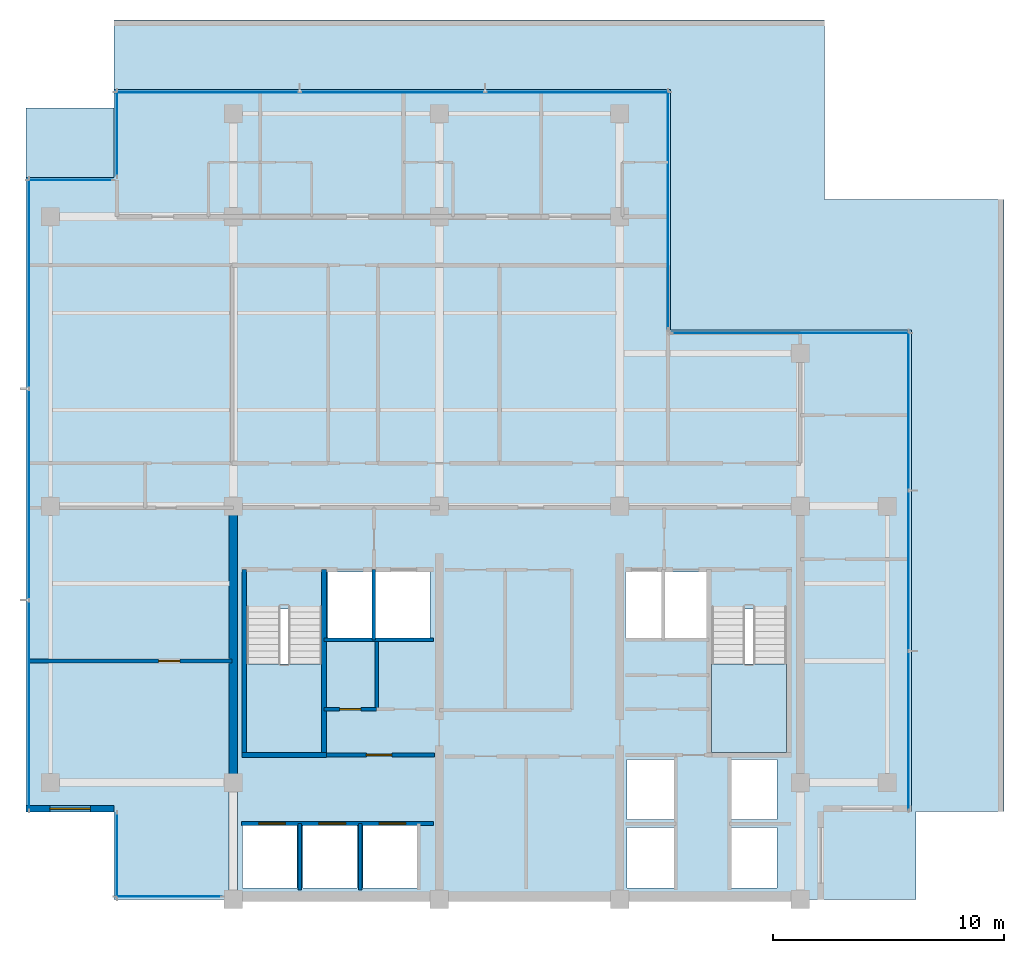
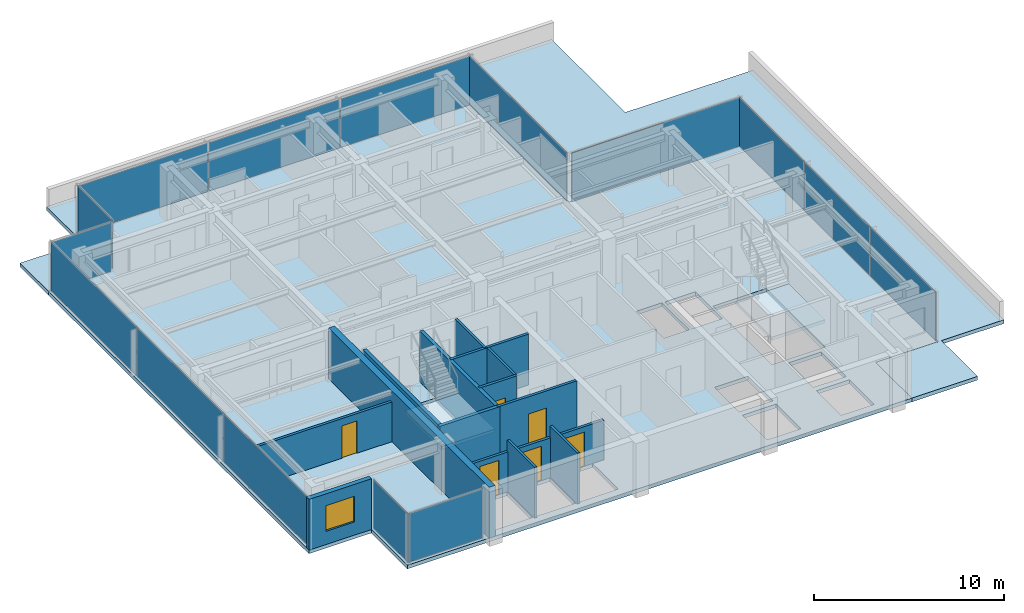
# One storey, part 5 of 11: 15 plates, 14 walls, 6 doors, 5 slabs, 1 window, 7 openings, 11 elements without a shape of their own.
"""IFC4 building model written with IfcOpenShell, lengths in metres."""

from ifc_helpers import new_model, si_unit, direction, frame, frame_2d, origin, origin_2d, place, context, subcontext, project, spatial, polyline, rectangle, outline, extrude, material, layer, layer_set, type_object, element, fill, aggregate, save


model = new_model("IFC4")

# Units and contexts
model_context = context("Model", 3, precision=1e-05, world=origin(), true_north=direction((0.0, 1.0)))
body_context = subcontext(model_context, "Body", "Model", "MODEL_VIEW")
ifc_project = project(units=[si_unit("LENGTHUNIT", "METRE"), si_unit("AREAUNIT", "SQUARE_METRE"), si_unit("VOLUMEUNIT", "CUBIC_METRE"), si_unit("PLANEANGLEUNIT", "RADIAN"), si_unit("MASSUNIT", "GRAM", prefix="KILO")], contexts=[model_context])

# Site, building, storey
site_placement = place(None, origin())
site = spatial("IfcSite", under=ifc_project, at=site_placement, CompositionType="ELEMENT")
building_placement = place(site_placement, origin())
building = spatial("IfcBuilding", under=site, at=building_placement, Name="Qalmaran Belvedere Hotel", CompositionType="ELEMENT")
storey_placement = place(building_placement, frame((0.0, 0.0, 238.89990234375)))
storey = spatial("IfcBuildingStorey", under=building, at=storey_placement, Name="L61", CompositionType="ELEMENT", Elevation=238.89990234375)

# Curtain wall, plate
ifc_material_1 = material(Name="Anodised Bronze Aluminium", Category="aluminium")
ifc_layer_1 = layer(ifc_material_1, 0.18505859375, Name="Anodised Bronze Aluminium")
ifc_layer_set_1 = layer_set([ifc_layer_1], Name="Anodised Bronze Aluminium")
curtain_wall_type = type_object("IfcCurtainWallType", Name="CW6-TOWER-SKY", PredefinedType="NOTDEFINED", material=ifc_layer_set_1)
curtain_wall_1_placement = place(storey_placement, origin())
curtain_wall_1 = element("IfcCurtainWall", 1, at=curtain_wall_1_placement, inside=storey, type_object=curtain_wall_type, Name="L61 Curtain Wall CW6", PredefinedType="NOTDEFINED")
ifc_material_2 = material(Name="Solar-Control Double Glazing", Category="glass")
ifc_layer_2 = layer(ifc_material_2, 0.028076171875, Name="Solar-Control Double Glazing")
ifc_layer_set_2 = layer_set([ifc_layer_2], Name="Solar-Control Double Glazing")
plate_type = type_object("IfcPlateType", Name="CWP-VISION-28", PredefinedType="CURTAIN_PANEL", material=ifc_layer_set_2)
plate_1_placement = place(storey_placement, frame((17.5048828125, 3.6201171875, 0.065185546875), z_axis=(0.0, 0.0, 1.0), x_axis=(1.0, 0.0, 0.0)))
plate_1 = element("IfcPlate", 2, at=plate_1_placement, type_object=plate_type, Name="CW6 panel 1.1", PredefinedType="CURTAIN_PANEL", context=body_context, shape_type="SweptSolid", body=[
    extrude(rectangle(XDim=4.580078125, YDim=0.028076171875, at=origin_2d()), origin(), (0.0, 0.0, 1.0), 3.1298828125),
])
aggregate(curtain_wall_1, [plate_1])

# Curtain wall, plates
curtain_wall_2_placement = place(storey_placement, origin())
curtain_wall_2 = element("IfcCurtainWall", 3, at=curtain_wall_2_placement, inside=storey, type_object=curtain_wall_type, Name="L61 Curtain Wall CW6", PredefinedType="NOTDEFINED")
plate_2_placement = place(storey_placement, frame((49.47998046875, 10.782958984375, 0.065185546875), z_axis=(0.0, 0.0, 1.0), x_axis=(0.0, 1.0, 0.0)))
plate_2 = element("IfcPlate", 4, at=plate_2_placement, type_object=plate_type, Name="CW6 panel 1.1", PredefinedType="CURTAIN_PANEL", context=body_context, shape_type="SweptSolid", body=[
    extrude(rectangle(XDim=6.8359375, YDim=0.028076171875, at=origin_2d()), origin(), (0.0, 0.0, 1.0), 3.1298828125),
])
plate_3_placement = place(storey_placement, frame((49.47998046875, 17.699951171875, 0.065185546875), z_axis=(0.0, 0.0, 1.0), x_axis=(0.0, 1.0, 0.0)))
plate_3 = element("IfcPlate", 5, at=plate_3_placement, type_object=plate_type, Name="CW6 panel 2.1", PredefinedType="CURTAIN_PANEL", context=body_context, shape_type="SweptSolid", body=[
    extrude(rectangle(XDim=6.868408203125, YDim=0.028076171875, at=origin_2d()), origin(), (0.0, 0.0, 1.0), 3.1298828125),
])
plate_4_placement = place(storey_placement, frame((49.47998046875, 24.6171875, 0.065185546875), z_axis=(0.0, 0.0, 1.0), x_axis=(0.0, 1.0, 0.0)))
plate_4 = element("IfcPlate", 6, at=plate_4_placement, type_object=plate_type, Name="CW6 panel 3.1", PredefinedType="CURTAIN_PANEL", context=body_context, shape_type="SweptSolid", body=[
    extrude(rectangle(XDim=6.8359375, YDim=0.028076171875, at=origin_2d()), origin(), (0.0, 0.0, 1.0), 3.1298828125),
])
aggregate(curtain_wall_2, [plate_2, plate_3, plate_4])

# Curtain wall, plate
curtain_wall_3_placement = place(storey_placement, origin())
curtain_wall_3 = element("IfcCurtainWall", 7, at=curtain_wall_3_placement, inside=storey, type_object=curtain_wall_type, Name="L61 Curtain Wall CW6", PredefinedType="NOTDEFINED")
plate_5_placement = place(storey_placement, frame((44.39990234375, 27.97998046875, 0.065185546875), z_axis=(0.0, 0.0, 1.0), x_axis=(-1.0, 0.0, 0.0)))
plate_5 = element("IfcPlate", 8, at=plate_5_placement, type_object=plate_type, Name="CW6 panel 1.1", PredefinedType="CURTAIN_PANEL", context=body_context, shape_type="SweptSolid", body=[
    extrude(rectangle(XDim=10.27001953125, YDim=0.028076171875, at=origin_2d()), origin(), (0.0, 0.0, 1.0), 3.1298828125),
])
aggregate(curtain_wall_3, [plate_5])

curtain_wall_4_placement = place(storey_placement, origin())
curtain_wall_4 = element("IfcCurtainWall", 9, at=curtain_wall_4_placement, inside=storey, type_object=curtain_wall_type, Name="L61 Curtain Wall CW6", PredefinedType="NOTDEFINED")
plate_6_placement = place(storey_placement, frame((39.080078125, 33.300048828125, 0.065185546875), z_axis=(0.0, 0.0, 1.0), x_axis=(0.0, 1.0, 0.0)))
plate_6 = element("IfcPlate", 10, at=plate_6_placement, type_object=plate_type, Name="CW6 panel 1.1", PredefinedType="CURTAIN_PANEL", context=body_context, shape_type="SweptSolid", body=[
    extrude(rectangle(XDim=10.27001953125, YDim=0.028076171875, at=origin_2d()), origin(), (0.0, 0.0, 1.0), 3.1298828125),
])
aggregate(curtain_wall_4, [plate_6])

# Curtain wall, plates
curtain_wall_5_placement = place(storey_placement, origin())
curtain_wall_5 = element("IfcCurtainWall", 11, at=curtain_wall_5_placement, inside=storey, type_object=curtain_wall_type, Name="L61 Curtain Wall CW6", PredefinedType="NOTDEFINED")
plate_7_placement = place(storey_placement, frame((35.175537109375, 38.3798828125, 0.065185546875), z_axis=(0.0, 0.0, 1.0), x_axis=(-1.0, 0.0, 0.0)))
plate_7 = element("IfcPlate", 12, at=plate_7_placement, type_object=plate_type, Name="CW6 panel 1.1", PredefinedType="CURTAIN_PANEL", context=body_context, shape_type="SweptSolid", body=[
    extrude(rectangle(XDim=7.919189453125, YDim=0.028076171875, at=origin_2d()), origin(), (0.0, 0.0, 1.0), 3.1298828125),
])
plate_8_placement = place(storey_placement, frame((27.175048828125, 38.3798828125, 0.065185546875), z_axis=(0.0, 0.0, 1.0), x_axis=(-1.0, 0.0, 0.0)))
plate_8 = element("IfcPlate", 13, at=plate_8_placement, type_object=plate_type, Name="CW6 panel 2.1", PredefinedType="CURTAIN_PANEL", context=body_context, shape_type="SweptSolid", body=[
    extrude(rectangle(XDim=7.95166015625, YDim=0.028076171875, at=origin_2d()), origin(), (0.0, 0.0, 1.0), 3.1298828125),
])
plate_9_placement = place(storey_placement, frame((19.174560546875, 38.3798828125, 0.065185546875), z_axis=(0.0, 0.0, 1.0), x_axis=(-1.0, 0.0, 0.0)))
plate_9 = element("IfcPlate", 14, at=plate_9_placement, type_object=plate_type, Name="CW6 panel 3.1", PredefinedType="CURTAIN_PANEL", context=body_context, shape_type="SweptSolid", body=[
    extrude(rectangle(XDim=7.919189453125, YDim=0.028076171875, at=origin_2d()), origin(), (0.0, 0.0, 1.0), 3.1298828125),
])
aggregate(curtain_wall_5, [plate_7, plate_8, plate_9])

# Curtain wall, plate
curtain_wall_6_placement = place(storey_placement, origin())
curtain_wall_6 = element("IfcCurtainWall", 15, at=curtain_wall_6_placement, inside=storey, type_object=curtain_wall_type, Name="L61 Curtain Wall CW6", PredefinedType="NOTDEFINED")
plate_10_placement = place(storey_placement, frame((15.27001953125, 36.60009765625, 0.065185546875), z_axis=(0.0, 0.0, 1.0), x_axis=(0.0, -1.0, 0.0)))
plate_10 = element("IfcPlate", 16, at=plate_10_placement, type_object=plate_type, Name="CW6 panel 1.1", PredefinedType="CURTAIN_PANEL", context=body_context, shape_type="SweptSolid", body=[
    extrude(rectangle(XDim=3.669921875, YDim=0.028076171875, at=origin_2d()), origin(), (0.0, 0.0, 1.0), 3.1298828125),
])
aggregate(curtain_wall_6, [plate_10])

curtain_wall_7_placement = place(storey_placement, origin())
curtain_wall_7 = element("IfcCurtainWall", 17, at=curtain_wall_7_placement, inside=storey, type_object=curtain_wall_type, Name="L61 Curtain Wall CW6", PredefinedType="NOTDEFINED")
plate_11_placement = place(storey_placement, frame((13.25, 34.580078125, 0.065185546875), z_axis=(0.0, 0.0, 1.0), x_axis=(-1.0, 0.0, 0.0)))
plate_11 = element("IfcPlate", 18, at=plate_11_placement, type_object=plate_type, Name="CW6 panel 1.1", PredefinedType="CURTAIN_PANEL", context=body_context, shape_type="SweptSolid", body=[
    extrude(rectangle(XDim=3.669921875, YDim=0.028076171875, at=origin_2d()), origin(), (0.0, 0.0, 1.0), 3.1298828125),
])
aggregate(curtain_wall_7, [plate_11])

# Curtain wall, plates
curtain_wall_8_placement = place(storey_placement, origin())
curtain_wall_8 = element("IfcCurtainWall", 19, at=curtain_wall_8_placement, inside=storey, type_object=curtain_wall_type, Name="L61 Curtain Wall CW6", PredefinedType="NOTDEFINED")
plate_12_placement = place(storey_placement, frame((11.469970703125, 30.1171875, 0.065185546875), z_axis=(0.0, 0.0, 1.0), x_axis=(0.0, -1.0, 0.0)))
plate_12 = element("IfcPlate", 20, at=plate_12_placement, type_object=plate_type, Name="CW6 panel 1.1", PredefinedType="CURTAIN_PANEL", context=body_context, shape_type="SweptSolid", body=[
    extrude(rectangle(XDim=9.035888671875, YDim=0.028076171875, at=origin_2d()), origin(), (0.0, 0.0, 1.0), 3.1298828125),
])
plate_13_placement = place(storey_placement, frame((11.469970703125, 21.0, 0.065185546875), z_axis=(0.0, 0.0, 1.0), x_axis=(0.0, -1.0, 0.0)))
plate_13 = element("IfcPlate", 21, at=plate_13_placement, type_object=plate_type, Name="CW6 panel 2.1", PredefinedType="CURTAIN_PANEL", context=body_context, shape_type="SweptSolid", body=[
    extrude(rectangle(XDim=9.068359375, YDim=0.028076171875, at=origin_2d()), origin(), (0.0, 0.0, 1.0), 3.1298828125),
])
plate_14_placement = place(storey_placement, frame((11.469970703125, 11.8828125, 0.065185546875), z_axis=(0.0, 0.0, 1.0), x_axis=(0.0, -1.0, 0.0)))
plate_14 = element("IfcPlate", 22, at=plate_14_placement, type_object=plate_type, Name="CW6 panel 3.1", PredefinedType="CURTAIN_PANEL", context=body_context, shape_type="SweptSolid", body=[
    extrude(rectangle(XDim=9.035888671875, YDim=0.028076171875, at=origin_2d()), origin(), (0.0, 0.0, 1.0), 3.1298828125),
])
aggregate(curtain_wall_8, [plate_12, plate_13, plate_14])

# Curtain wall, plate
curtain_wall_9_placement = place(storey_placement, origin())
curtain_wall_9 = element("IfcCurtainWall", 23, at=curtain_wall_9_placement, inside=storey, type_object=curtain_wall_type, Name="L61 Curtain Wall CW6", PredefinedType="NOTDEFINED")
plate_15_placement = place(storey_placement, frame((15.27001953125, 5.39990234375, 0.065185546875), z_axis=(0.0, 0.0, 1.0), x_axis=(0.0, -1.0, 0.0)))
plate_15 = element("IfcPlate", 24, at=plate_15_placement, type_object=plate_type, Name="CW6 panel 1.1", PredefinedType="CURTAIN_PANEL", context=body_context, shape_type="SweptSolid", body=[
    extrude(rectangle(XDim=3.669921875, YDim=0.028076171875, at=origin_2d()), origin(), (0.0, 0.0, 1.0), 3.1298828125),
])
aggregate(curtain_wall_9, [plate_15])

# Slabs
ifc_material_3 = material(Name="Concrete C40/50", Category="concrete")
ifc_layer_3 = layer(ifc_material_3, 0.239990234375, Name="Concrete C40/50")
ifc_layer_set_3 = layer_set([ifc_layer_3], Name="Concrete C40/50")
slab_type_1 = type_object("IfcSlabType", Name="SLB-SROOF-240", PredefinedType="ROOF", material=ifc_layer_set_3)
slab_1_placement = place(storey_placement, frame((0.0, 0.0, -0.239990234375)))
element("IfcSlab", 25, at=slab_1_placement, inside=storey, type_object=slab_type_1, Name="L61 Stepped Roof Cap 1", PredefinedType="ROOF", context=body_context, shape_type="SweptSolid", body=[
    extrude(outline(polyline([(15.14990234375, 41.5), (45.85009765625, 41.5), (45.85009765625, 33.75), (53.60009765625, 33.75), (53.60009765625, 7.300048828125), (49.800048828125, 7.300048828125), (49.800048828125, 3.5), (45.800048828125, 3.5), (45.800048828125, 7.300048828125), (49.60009765625, 7.300048828125), (49.60009765625, 28.10009765625), (39.199951171875, 28.10009765625), (39.199951171875, 38.5), (15.14990234375, 38.5), (15.14990234375, 41.5)])), origin(), (0.0, 0.0, 1.0), 0.239990234375),
])
slab_2_placement = place(storey_placement, frame((0.0, 0.0, -0.239990234375)))
element("IfcSlab", 26, at=slab_2_placement, inside=storey, type_object=slab_type_1, Name="L61 Stepped Roof Cap 2", PredefinedType="ROOF", context=body_context, shape_type="SweptSolid", body=[
    extrude(outline(polyline([(11.35009765625, 37.699951171875), (15.14990234375, 37.699951171875), (15.14990234375, 34.699951171875), (11.35009765625, 34.699951171875), (11.35009765625, 37.699951171875)])), origin(), (0.0, 0.0, 1.0), 0.239990234375),
])

# Stair, slab
stair_type_1 = type_object("IfcStairType", Name="STR-ST-1-1450-R1750", PredefinedType="HALF_TURN_STAIR", material=ifc_material_3)
stair_1_placement = place(storey_placement, origin())
stair_1 = element("IfcStair", 27, at=stair_1_placement, inside=storey, type_object=stair_type_1, Name="L61 West Core Exit Stair ST-1", PredefinedType="HALF_TURN_STAIR")
ifc_layer_4 = layer(ifc_material_3, 0.199951171875, Name="Concrete C40/50")
ifc_layer_set_4 = layer_set([ifc_layer_4], Name="Concrete C40/50")
slab_type_2 = type_object("IfcSlabType", Name="SLB-STAIR-LANDING-200", PredefinedType="LANDING", material=ifc_layer_set_4)
slab_3_placement = place(storey_placement, frame((0.0, 0.0, 1.550048828125)))
slab_3 = element("IfcSlab", 28, at=slab_3_placement, type_object=slab_type_2, Name="ST-1 landing 1", PredefinedType="LANDING", context=body_context, shape_type="SweptSolid", body=[
    extrude(outline(polyline([(20.8798828125, 13.669921875), (20.8798828125, 9.85009765625), (24.1201171875, 9.85009765625), (24.1201171875, 13.669921875), (20.8798828125, 13.669921875)])), origin(), (0.0, 0.0, 1.0), 0.199951171875),
])
aggregate(stair_1, [slab_3])

stair_type_2 = type_object("IfcStairType", Name="STR-ST-2-1450-R1750", PredefinedType="HALF_TURN_STAIR", material=ifc_material_3)
stair_2_placement = place(storey_placement, origin())
stair_2 = element("IfcStair", 29, at=stair_2_placement, inside=storey, type_object=stair_type_2, Name="L61 East Core Exit Stair ST-2", PredefinedType="HALF_TURN_STAIR")
slab_4_placement = place(storey_placement, frame((0.0, 0.0, 1.550048828125)))
slab_4 = element("IfcSlab", 30, at=slab_4_placement, type_object=slab_type_2, Name="ST-2 landing 1", PredefinedType="LANDING", context=body_context, shape_type="SweptSolid", body=[
    extrude(outline(polyline([(40.9599609375, 13.669921875), (40.9599609375, 9.85009765625), (44.199951171875, 9.85009765625), (44.199951171875, 13.669921875), (40.9599609375, 13.669921875)])), origin(), (0.0, 0.0, 1.0), 0.199951171875),
])
aggregate(stair_2, [slab_4])

# Slab
ifc_layer_5 = layer(ifc_material_3, 0.239990234375, Name="Concrete C40/50")
ifc_layer_set_5 = layer_set([ifc_layer_5], Name="Concrete C40/50")
slab_type_3 = type_object("IfcSlabType", Name="SLB-Z4-240", PredefinedType="FLOOR", material=ifc_layer_set_5)
slab_5_placement = place(storey_placement, frame((0.0, 0.0, -0.239990234375)))
element("IfcSlab", 31, at=slab_5_placement, inside=storey, type_object=slab_type_3, Name="L61 Structural Floor Slab", PredefinedType="FLOOR", context=body_context, shape_type="SweptSolid", body=[
    extrude(outline(polyline([(15.14990234375, 3.5), (45.800048828125, 3.5), (45.800048828125, 7.300048828125), (49.60009765625, 7.300048828125), (49.60009765625, 28.10009765625), (39.199951171875, 28.10009765625), (39.199951171875, 38.5), (15.14990234375, 38.5), (15.14990234375, 34.699951171875), (11.35009765625, 34.699951171875), (11.35009765625, 7.300048828125), (15.14990234375, 7.300048828125), (15.14990234375, 3.5)]), holes=[polyline([(20.8798828125, 9.85009765625), (24.1201171875, 9.85009765625), (24.1201171875, 16.0400390625), (20.8798828125, 16.0400390625), (20.8798828125, 9.85009765625)]), polyline([(40.9599609375, 9.85009765625), (44.199951171875, 9.85009765625), (44.199951171875, 16.0400390625), (40.9599609375, 16.0400390625), (40.9599609375, 9.85009765625)]), polyline([(37.300048828125, 4.0), (39.35009765625, 4.0), (39.35009765625, 6.60009765625), (37.300048828125, 6.60009765625), (37.300048828125, 4.0)]), polyline([(37.300048828125, 6.949951171875), (39.35009765625, 6.949951171875), (39.35009765625, 9.550048828125), (37.300048828125, 9.550048828125), (37.300048828125, 6.949951171875)]), polyline([(41.800048828125, 4.0), (43.800048828125, 4.0), (43.800048828125, 6.60009765625), (41.800048828125, 6.60009765625), (41.800048828125, 4.0)]), polyline([(41.800048828125, 6.949951171875), (43.800048828125, 6.949951171875), (43.800048828125, 9.550048828125), (41.800048828125, 9.550048828125), (41.800048828125, 6.949951171875)]), polyline([(20.699951171875, 4.0), (23.050048828125, 4.0), (23.050048828125, 6.699951171875), (20.699951171875, 6.699951171875), (20.699951171875, 4.0)]), polyline([(23.300048828125, 4.0), (25.64990234375, 4.0), (25.64990234375, 6.699951171875), (23.300048828125, 6.699951171875), (23.300048828125, 4.0)]), polyline([(25.89990234375, 4.0), (28.25, 4.0), (28.25, 6.699951171875), (25.89990234375, 6.699951171875), (25.89990234375, 4.0)]), polyline([(24.39990234375, 14.800048828125), (26.300048828125, 14.800048828125), (26.300048828125, 17.64990234375), (24.39990234375, 17.64990234375), (24.39990234375, 14.800048828125)]), polyline([(38.949951171875, 14.800048828125), (40.820068359375, 14.800048828125), (40.820068359375, 17.64990234375), (38.949951171875, 17.64990234375), (38.949951171875, 14.800048828125)]), polyline([(26.449951171875, 14.800048828125), (28.800048828125, 14.800048828125), (28.800048828125, 17.64990234375), (26.449951171875, 17.64990234375), (26.449951171875, 14.800048828125)]), polyline([(37.25, 14.800048828125), (38.800048828125, 14.800048828125), (38.800048828125, 17.64990234375), (37.25, 17.64990234375), (37.25, 14.800048828125)])]), origin(), (0.0, 0.0, 1.0), 0.239990234375),
])

# Wall
ifc_material_4 = material(Name="Concrete C50/60", Category="concrete")
ifc_layer_6 = layer(ifc_material_4, 0.3798828125, Name="Concrete C50/60")
ifc_layer_set_6 = layer_set([ifc_layer_6], Name="Concrete C50/60")
wall_type_1 = type_object("IfcWallType", Name="WL-CORE-380-C50", PredefinedType="SHEAR", material=ifc_layer_set_6)
wall_1_placement = place(storey_placement, frame((20.300048828125, 3.5, 0.0), z_axis=(0.0, 0.0, 1.0), x_axis=(0.0, 1.0, 0.0)))
element("IfcWall", 32, at=wall_1_placement, inside=storey, type_object=wall_type_1, Name="L61 West Core Shear Wall", PredefinedType="SHEAR", context=body_context, shape_type="SweptSolid", body=[
    extrude(rectangle(XDim=16.89990234375, YDim=0.3798828125, at=frame_2d((8.449951171875, 0.0))), origin(), (0.0, 0.0, 1.0), 3.260009765625),
])

# Wall, opening, window
ifc_material_5 = material(Name="Anodised Bronze Cladding")
ifc_layer_7 = layer(ifc_material_5, 0.280029296875, Name="Anodised Bronze Cladding")
ifc_layer_set_7 = layer_set([ifc_layer_7], Name="Anodised Bronze Cladding")
wall_type_2 = type_object("IfcWallType", Name="WL-EXT-BRNZ-280", PredefinedType="SOLIDWALL", material=ifc_layer_set_7)
wall_2_placement = place(storey_placement, frame((11.35009765625, 7.419921875, 0.0), z_axis=(0.0, 0.0, 1.0), x_axis=(1.0, 0.0, 0.0)))
wall_2 = element("IfcWall", 33, at=wall_2_placement, inside=storey, type_object=wall_type_2, Name="L61 Corner Notch Wall 10", PredefinedType="SOLIDWALL", context=body_context, shape_type="SweptSolid", body=[
    extrude(rectangle(XDim=3.7998046875, YDim=0.280029296875, at=frame_2d((1.89990234375, 0.0))), origin(), (0.0, 0.0, 1.0), 3.260009765625),
])
opening_1_placement = place(wall_2_placement, frame((1.02490234375, 0.0, 0.85009765625)))
opening_1 = element("IfcOpeningElement", 34, at=opening_1_placement, cuts=wall_2, Name="Opening W-N17", PredefinedType="OPENING", context=body_context, shape_type="SweptSolid", body=[
    extrude(rectangle(XDim=1.75, YDim=1.64990234375, at=frame_2d((0.875, 0.824951171875))), frame((0.0, 0.14990234375, 0.0), z_axis=(0.0, -1.0, 0.0), x_axis=(1.0, 0.0, 0.0)), (0.0, 0.0, 1.0), 0.300048828125),
])
window_type = type_object("IfcWindowType", Name="WN-NTC-1750X1650", PartitioningType="SINGLE_PANEL", PredefinedType="WINDOW", material=ifc_material_2)
window_placement = place(opening_1_placement, origin())
window = element("IfcWindow", 35, at=window_placement, inside=storey, type_object=window_type, Name="L61 Corner Notch Window 10", OverallHeight=1.64990234375, OverallWidth=1.75, PartitioningType="SINGLE_PANEL", PredefinedType="WINDOW", context=body_context, shape_type="SweptSolid", body=[
    extrude(rectangle(XDim=1.75, YDim=1.64990234375, at=frame_2d((0.875, 0.824951171875))), frame((0.0, 0.030029296875, 0.0), z_axis=(0.0, -1.0, 0.0), x_axis=(1.0, 0.0, 0.0)), (0.0, 0.0, 1.0), 0.06005859375),
])
fill(opening_1, window)

# Walls
ifc_material_6 = material(Name="Gypsum Stud Partition")
ifc_layer_8 = layer(ifc_material_6, 0.14990234375, Name="Gypsum Stud Partition")
ifc_layer_set_8 = layer_set([ifc_layer_8], Name="Gypsum Stud Partition")
wall_type_3 = type_object("IfcWallType", Name="WL-INT-150-EI120", PredefinedType="PARTITIONING", material=ifc_layer_set_8)
wall_3_placement = place(storey_placement, frame((26.360107421875, 14.719970703125, 0.0), z_axis=(0.0, 0.0, 1.0), x_axis=(0.0, 1.0, 0.0)))
element("IfcWall", 36, at=wall_3_placement, inside=storey, type_object=wall_type_3, Name="L61 Partition WL-FF1M-L61", PredefinedType="PARTITIONING", context=body_context, shape_type="SweptSolid", body=[
    extrude(rectangle(XDim=3.0400390625, YDim=0.14990234375, at=frame_2d((1.52001953125, 0.0))), origin(), (0.0, 0.0, 1.0), 3.260009765625),
])
for number, where, z_axis, x_axis, name in (
    (37, (23.179931640625, 3.89990234375, 0.0), (0.0, 0.0, 1.0), (0.0, 1.0, 0.0), "L61 Partition WL-POM1-L61"),
    (38, (25.780029296875, 3.89990234375, 0.0), (0.0, 0.0, 1.0), (0.0, 1.0, 0.0), "L61 Partition WL-POM2-L61"),
):
    element("IfcWall", number, at=place(storey_placement, frame(where, z_axis=z_axis, x_axis=x_axis)), inside=storey, type_object=wall_type_3, Name=name, PredefinedType="PARTITIONING", context=body_context, shape_type="SweptSolid", body=[
        extrude(rectangle(XDim=2.880126953125, YDim=0.14990234375, at=frame_2d((1.43994140625, 0.0))), origin(), (0.0, 0.0, 1.0), 3.260009765625),
    ])
ifc_layer_9 = layer(ifc_material_6, 0.14990234375, Name="Gypsum Stud Partition")
ifc_layer_set_9 = layer_set([ifc_layer_9], Name="Gypsum Stud Partition")
wall_type_4 = type_object("IfcWallType", Name="WL-INT-150-EI60", PredefinedType="PARTITIONING", material=ifc_layer_set_9)
wall_4_placement = place(storey_placement, frame((26.490478515625, 11.719970703125, 0.0), z_axis=(0.0, 0.0, 1.0), x_axis=(0.0, 1.0, 0.0)))
element("IfcWall", 39, at=wall_4_placement, inside=storey, type_object=wall_type_4, Name="L61 Partition WL-L61-KWV1", PredefinedType="PARTITIONING", context=body_context, shape_type="SweptSolid", body=[
    extrude(rectangle(XDim=2.929931640625, YDim=0.14990234375, at=frame_2d((1.46484375, 0.0))), origin(), (0.0, 0.0, 1.0), 3.260009765625),
])
ifc_layer_10 = layer(ifc_material_6, 0.159912109375, Name="Gypsum Stud Partition")
ifc_layer_set_10 = layer_set([ifc_layer_10], Name="Gypsum Stud Partition")
wall_type_5 = type_object("IfcWallType", Name="WL-INT-160-EI120", PredefinedType="PARTITIONING", material=ifc_layer_set_10)
wall_5_placement = place(storey_placement, frame((24.219970703125, 14.719970703125, 0.0), z_axis=(0.0, 0.0, 1.0), x_axis=(1.0, 0.0, 0.0)))
element("IfcWall", 40, at=wall_5_placement, inside=storey, type_object=wall_type_5, Name="L61 Partition WL-FF1S-L61", PredefinedType="PARTITIONING", context=body_context, shape_type="SweptSolid", body=[
    extrude(rectangle(XDim=4.72998046875, YDim=0.159912109375, at=frame_2d((2.364990234375, 0.0))), origin(), (0.0, 0.0, 1.0), 3.260009765625),
])

# Wall, openings, doors
wall_6_placement = place(storey_placement, frame((20.64990234375, 6.780029296875, 0.0), z_axis=(0.0, 0.0, 1.0), x_axis=(1.0, 0.0, 0.0)))
wall_6 = element("IfcWall", 41, at=wall_6_placement, inside=storey, type_object=wall_type_5, Name="L61 Partition WL-POS-L61", PredefinedType="PARTITIONING", context=body_context, shape_type="SweptSolid", body=[
    extrude(rectangle(XDim=8.300048828125, YDim=0.159912109375, at=frame_2d((4.14990234375, 0.0))), origin(), (0.0, 0.0, 1.0), 2.550048828125),
])
opening_2_placement = place(wall_6_placement, frame((0.75, 0.0, 0.0)))
opening_2 = element("IfcOpeningElement", 42, at=opening_2_placement, cuts=wall_6, Name="Opening LD-PO", PredefinedType="OPENING", context=body_context, shape_type="SweptSolid", body=[
    extrude(rectangle(XDim=1.14990234375, YDim=2.199951171875, at=frame_2d((0.574951171875, 1.10009765625))), frame((0.0, 0.08984375, 0.0), z_axis=(0.0, -1.0, 0.0), x_axis=(1.0, 0.0, 0.0)), (0.0, 0.0, 1.0), 0.179931640625),
])
opening_3_placement = place(wall_6_placement, frame((3.35009765625, 0.0, 0.0)))
opening_3 = element("IfcOpeningElement", 43, at=opening_3_placement, cuts=wall_6, Name="Opening LD-PO", PredefinedType="OPENING", context=body_context, shape_type="SweptSolid", body=[
    extrude(rectangle(XDim=1.14990234375, YDim=2.199951171875, at=frame_2d((0.574951171875, 1.10009765625))), frame((0.0, 0.08984375, 0.0), z_axis=(0.0, -1.0, 0.0), x_axis=(1.0, 0.0, 0.0)), (0.0, 0.0, 1.0), 0.179931640625),
])
opening_4_placement = place(wall_6_placement, frame((5.949951171875, 0.0, 0.0)))
opening_4 = element("IfcOpeningElement", 44, at=opening_4_placement, cuts=wall_6, Name="Opening LD-PO", PredefinedType="OPENING", context=body_context, shape_type="SweptSolid", body=[
    extrude(rectangle(XDim=1.14990234375, YDim=2.199951171875, at=frame_2d((0.574951171875, 1.10009765625))), frame((0.0, 0.08984375, 0.0), z_axis=(0.0, -1.0, 0.0), x_axis=(1.0, 0.0, 0.0)), (0.0, 0.0, 1.0), 0.179931640625),
])
door_type_1 = type_object("IfcDoorType", Name="DR-LIFT-PO-1150X2200", OperationType="DOUBLE_DOOR_SLIDING", PredefinedType="DOOR", material=ifc_material_1)
door_1_placement = place(opening_2_placement, origin())
door_1 = element("IfcDoor", 45, at=door_1_placement, inside=storey, type_object=door_type_1, Name="L61 PO1 Shuttle Landing Door", OperationType="DOUBLE_DOOR_SLIDING", OverallHeight=2.199951171875, OverallWidth=1.14990234375, PredefinedType="DOOR", context=body_context, shape_type="SweptSolid", body=[
    extrude(rectangle(XDim=1.14990234375, YDim=2.199951171875, at=frame_2d((0.574951171875, 1.10009765625))), frame((0.0, 0.02490234375, 0.0), z_axis=(0.0, -1.0, 0.0), x_axis=(1.0, 0.0, 0.0)), (0.0, 0.0, 1.0), 0.050048828125),
])
fill(opening_2, door_1)
door_2_placement = place(opening_3_placement, origin())
door_2 = element("IfcDoor", 46, at=door_2_placement, inside=storey, type_object=door_type_1, Name="L61 PO2 Shuttle Landing Door", OperationType="DOUBLE_DOOR_SLIDING", OverallHeight=2.199951171875, OverallWidth=1.14990234375, PredefinedType="DOOR", context=body_context, shape_type="SweptSolid", body=[
    extrude(rectangle(XDim=1.14990234375, YDim=2.199951171875, at=frame_2d((0.574951171875, 1.10009765625))), frame((0.0, 0.02490234375, 0.0), z_axis=(0.0, -1.0, 0.0), x_axis=(1.0, 0.0, 0.0)), (0.0, 0.0, 1.0), 0.050048828125),
])
fill(opening_3, door_2)
door_3_placement = place(opening_4_placement, origin())
door_3 = element("IfcDoor", 47, at=door_3_placement, inside=storey, type_object=door_type_1, Name="L61 PO3 Shuttle Landing Door", OperationType="DOUBLE_DOOR_SLIDING", OverallHeight=2.199951171875, OverallWidth=1.14990234375, PredefinedType="DOOR", context=body_context, shape_type="SweptSolid", body=[
    extrude(rectangle(XDim=1.14990234375, YDim=2.199951171875, at=frame_2d((0.574951171875, 1.10009765625))), frame((0.0, 0.02490234375, 0.0), z_axis=(0.0, -1.0, 0.0), x_axis=(1.0, 0.0, 0.0)), (0.0, 0.0, 1.0), 0.050048828125),
])
fill(opening_4, door_3)

# Wall, opening, door
wall_7_placement = place(storey_placement, frame((24.199951171875, 9.739990234375, 0.0), z_axis=(0.0, 0.0, 1.0), x_axis=(1.0, 0.0, 0.0)))
wall_7 = element("IfcWall", 48, at=wall_7_placement, inside=storey, type_object=wall_type_5, Name="L61 Partition WL-PON-L61", PredefinedType="PARTITIONING", context=body_context, shape_type="SweptSolid", body=[
    extrude(rectangle(XDim=4.800048828125, YDim=0.159912109375, at=frame_2d((2.39990234375, 0.0))), origin(), (0.0, 0.0, 1.0), 3.260009765625),
])
opening_5_placement = place(wall_7_placement, frame((1.85009765625, 0.0, 0.0)))
opening_5 = element("IfcOpeningElement", 49, at=opening_5_placement, cuts=wall_7, Name="Opening FD90", PredefinedType="OPENING", context=body_context, shape_type="SweptSolid", body=[
    extrude(rectangle(XDim=1.10009765625, YDim=2.14990234375, at=frame_2d((0.550048828125, 1.074951171875))), frame((0.0, 0.08984375, 0.0), z_axis=(0.0, -1.0, 0.0), x_axis=(1.0, 0.0, 0.0)), (0.0, 0.0, 1.0), 0.179931640625),
])
ifc_material_7 = material(Name="Steel S355JR", Category="steel")
door_type_2 = type_object("IfcDoorType", Name="DR-FD90-1100X2150", OperationType="NOTDEFINED", PredefinedType="DOOR", material=ifc_material_7)
door_4_placement = place(opening_5_placement, origin())
door_4 = element("IfcDoor", 50, at=door_4_placement, inside=storey, type_object=door_type_2, Name="L61 Shuttle Lobby Passage Door", OperationType="SINGLE_SWING_RIGHT", OverallHeight=2.14990234375, OverallWidth=1.10009765625, PredefinedType="DOOR", context=body_context, shape_type="SweptSolid", body=[
    extrude(rectangle(XDim=1.10009765625, YDim=2.14990234375, at=frame_2d((0.550048828125, 1.074951171875))), frame((0.0, 0.02490234375, 0.0), z_axis=(0.0, -1.0, 0.0), x_axis=(1.0, 0.0, 0.0)), (0.0, 0.0, 1.0), 0.050048828125),
])
fill(opening_5, door_4)

ifc_layer_11 = layer(ifc_material_6, 0.159912109375, Name="Gypsum Stud Partition")
ifc_layer_set_11 = layer_set([ifc_layer_11], Name="Gypsum Stud Partition")
wall_type_6 = type_object("IfcWallType", Name="WL-INT-160-EI60", PredefinedType="PARTITIONING", material=ifc_layer_set_11)
wall_8_placement = place(storey_placement, frame((24.219970703125, 11.719970703125, 0.0), z_axis=(0.0, 0.0, 1.0), x_axis=(1.0, 0.0, 0.0)))
wall_8 = element("IfcWall", 51, at=wall_8_placement, inside=storey, type_object=wall_type_6, Name="L61 Partition WL-L61-KWE1", PredefinedType="PARTITIONING", context=body_context, shape_type="SweptSolid", body=[
    extrude(rectangle(XDim=2.2705078125, YDim=0.159912109375, at=frame_2d((1.13525390625, 0.0))), origin(), (0.0, 0.0, 1.0), 3.260009765625),
])
opening_6_placement = place(wall_8_placement, frame((0.67529296875, 0.0, 0.0)))
opening_6 = element("IfcOpeningElement", 52, at=opening_6_placement, cuts=wall_8, Name="Opening FD60S1", PredefinedType="OPENING", context=body_context, shape_type="SweptSolid", body=[
    extrude(rectangle(XDim=0.919921875, YDim=2.080078125, at=frame_2d((0.4599609375, 1.0400390625))), frame((0.0, 0.08984375, 0.0), z_axis=(0.0, -1.0, 0.0), x_axis=(1.0, 0.0, 0.0)), (0.0, 0.0, 1.0), 0.179931640625),
])
ifc_material_8 = material(Name="Engineered Oak Veneer")
door_type_3 = type_object("IfcDoorType", Name="DR-FD60S-920X2080", OperationType="NOTDEFINED", PredefinedType="DOOR", material=ifc_material_8)
door_5_placement = place(opening_6_placement, origin())
door_5 = element("IfcDoor", 53, at=door_5_placement, inside=storey, type_object=door_type_3, Name="L61 Telecom and IT Room Door", OperationType="SINGLE_SWING_RIGHT", OverallHeight=2.080078125, OverallWidth=0.919921875, PredefinedType="DOOR", context=body_context, shape_type="SweptSolid", body=[
    extrude(rectangle(XDim=0.919921875, YDim=2.080078125, at=frame_2d((0.4599609375, 1.0400390625))), frame((0.0, 0.02490234375, 0.0), z_axis=(0.0, -1.0, 0.0), x_axis=(1.0, 0.0, 0.0)), (0.0, 0.0, 1.0), 0.050048828125),
])
fill(opening_6, door_5)

wall_9_placement = place(storey_placement, frame((11.469970703125, 13.800048828125, 0.0), z_axis=(0.0, 0.0, 1.0), x_axis=(1.0, 0.0, 0.0)))
wall_9 = element("IfcWall", 54, at=wall_9_placement, inside=storey, type_object=wall_type_6, Name="L61 Partition WL-L61-C4WH1", PredefinedType="PARTITIONING", context=body_context, shape_type="SweptSolid", body=[
    extrude(rectangle(XDim=8.780029296875, YDim=0.159912109375, at=frame_2d((4.39013671875, 0.0))), origin(), (0.0, 0.0, 1.0), 2.550048828125),
])
opening_7_placement = place(wall_9_placement, frame((6.52001953125, 0.0, 0.0), z_axis=(0.0, 0.0, 1.0), x_axis=(-1.0, 0.0, 0.0)))
opening_7 = element("IfcOpeningElement", 55, at=opening_7_placement, cuts=wall_9, Name="Opening FD60S1", PredefinedType="OPENING", context=body_context, shape_type="SweptSolid", body=[
    extrude(rectangle(XDim=0.919921875, YDim=2.080078125, at=frame_2d((0.4599609375, 1.0400390625))), frame((0.0, 0.08984375, 0.0), z_axis=(0.0, -1.0, 0.0), x_axis=(1.0, 0.0, 0.0)), (0.0, 0.0, 1.0), 0.179931640625),
])
door_6_placement = place(opening_7_placement, origin())
door_6 = element("IfcDoor", 56, at=door_6_placement, inside=storey, type_object=door_type_3, Name="L61 SW Panorama Inner Door", OperationType="SINGLE_SWING_RIGHT", OverallHeight=2.080078125, OverallWidth=0.919921875, PredefinedType="DOOR", context=body_context, shape_type="SweptSolid", body=[
    extrude(rectangle(XDim=0.919921875, YDim=2.080078125, at=frame_2d((0.4599609375, 1.0400390625))), frame((0.0, 0.02490234375, 0.0), z_axis=(0.0, -1.0, 0.0), x_axis=(1.0, 0.0, 0.0)), (0.0, 0.0, 1.0), 0.050048828125),
])
fill(opening_7, door_6)

# Walls
ifc_layer_12 = layer(ifc_material_4, 0.2099609375, Name="Concrete C50/60")
ifc_layer_set_12 = layer_set([ifc_layer_12], Name="Concrete C50/60")
wall_type_7 = type_object("IfcWallType", Name="WL-STAIR-210-C50", PredefinedType="SHEAR", material=ifc_layer_set_12)
for number, where, z_axis, x_axis, name in (
    (57, (20.77490234375, 9.7451171875, 0.0), (0.0, 0.0, 1.0), (0.0, 1.0, 0.0), "L61 Stair ST-1 West Bearing Wall"),
    (58, (24.22509765625, 9.7451171875, 0.0), (0.0, 0.0, 1.0), (0.0, 1.0, 0.0), "L61 Stair ST-1 East Bearing Wall"),
):
    element("IfcWall", number, at=place(storey_placement, frame(where, z_axis=z_axis, x_axis=x_axis)), inside=storey, type_object=wall_type_7, Name=name, PredefinedType="SHEAR", context=body_context, shape_type="SweptSolid", body=[
        extrude(rectangle(XDim=8.009765625, YDim=0.2099609375, at=frame_2d((4.0048828125, 0.0))), origin(), (0.0, 0.0, 1.0), 3.260009765625),
    ])
wall_10_placement = place(storey_placement, frame((20.669921875, 9.7451171875, 0.0), z_axis=(0.0, 0.0, 1.0), x_axis=(1.0, 0.0, 0.0)))
element("IfcWall", 59, at=wall_10_placement, inside=storey, type_object=wall_type_7, Name="L61 Stair ST-1 South Bearing Wall", PredefinedType="SHEAR", context=body_context, shape_type="SweptSolid", body=[
    extrude(rectangle(XDim=3.66015625, YDim=0.2099609375, at=frame_2d((1.830078125, 0.0))), origin(), (0.0, 0.0, 1.0), 3.260009765625),
])

save(model, "model.ifc")
